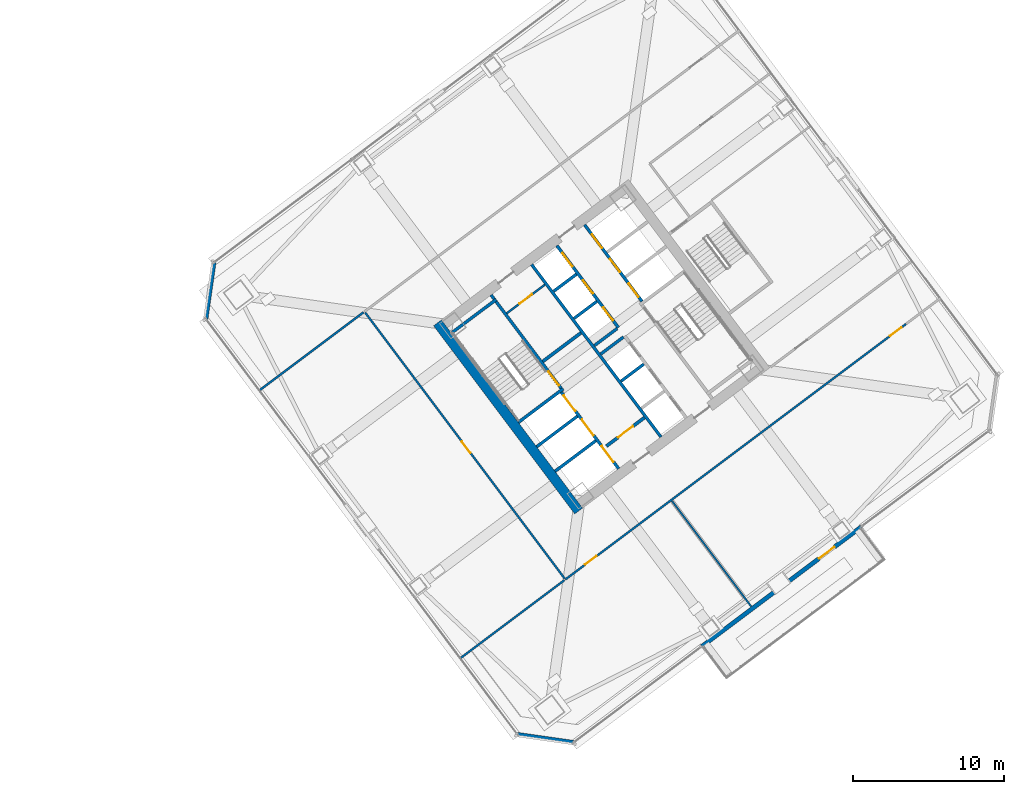
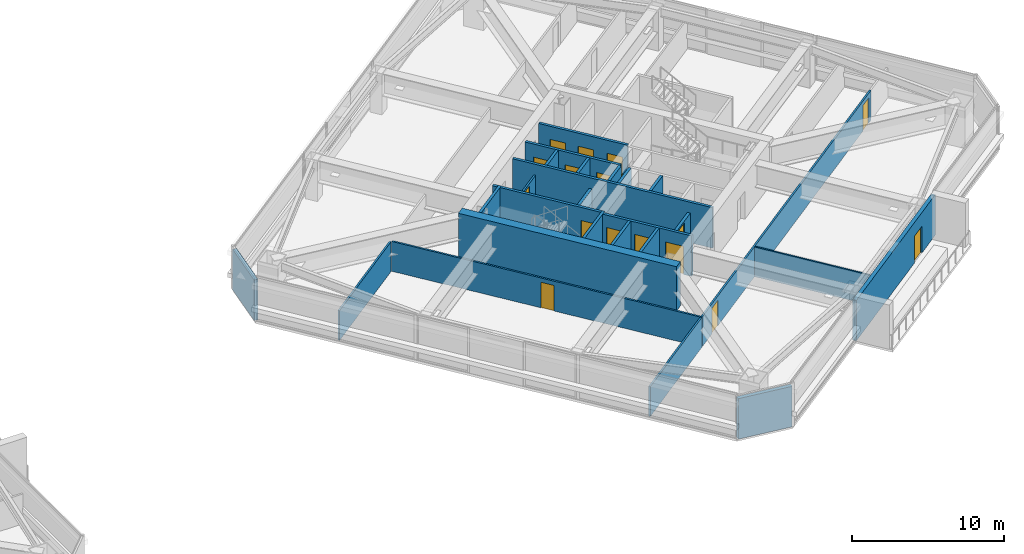
# One storey, part 40 of 49: 26 walls, 16 doors, 16 openings.
"""IFC4 building model written with IfcOpenShell, lengths in metres."""

from ifc_helpers import new_model, si_unit, direction, frame, frame_2d, origin, place, context, subcontext, project, spatial, rectangle, extrude, material, layer, layer_set, type_object, element, fill, save


model = new_model("IFC4")

# Units and contexts
model_context = context("Model", 3, precision=1e-05, world=origin(), true_north=direction((0.0, 1.0)))
body_context = subcontext(model_context, "Body", "Model", "MODEL_VIEW")
ifc_project = project(units=[si_unit("LENGTHUNIT", "METRE"), si_unit("AREAUNIT", "SQUARE_METRE"), si_unit("VOLUMEUNIT", "CUBIC_METRE"), si_unit("PLANEANGLEUNIT", "RADIAN"), si_unit("MASSUNIT", "GRAM", prefix="KILO")], contexts=[model_context])

# Site, building, storey
site_placement = place(None, origin())
site = spatial("IfcSite", under=ifc_project, at=site_placement, CompositionType="ELEMENT")
building_placement = place(site_placement, origin())
building = spatial("IfcBuilding", under=site, at=building_placement, Name="Tashvorn Skyway Center", CompositionType="ELEMENT")
storey_placement = place(building_placement, frame((0.0, 0.0, 106.25)))
storey = spatial("IfcBuildingStorey", under=building, at=storey_placement, Name="L28", CompositionType="ELEMENT", Elevation=106.25)

# Wall
ifc_material_1 = material(Name="Concrete C60/75", Category="concrete")
ifc_layer_1 = layer(ifc_material_1, 0.64990234375)
ifc_layer_set_1 = layer_set([ifc_layer_1], Name="Concrete C60/75")
wall_type_1 = type_object("IfcWallType", Name="WALL-CORE-650", PredefinedType="SHEAR", material=ifc_layer_set_1)
wall_1_placement = place(storey_placement, frame((112.47607421875, 21.10693359375, 0.0), z_axis=(0.0, 0.0, 1.0), x_axis=(-0.600005007985, 0.799996243986, 0.0)))
element("IfcWall", 1, at=wall_1_placement, inside=storey, type_object=wall_type_1, Name="Tower 2 L28 West Core Shear Wall", PredefinedType="SHEAR", context=body_context, shape_type="SweptSolid", body=[
    extrude(rectangle(XDim=15.60009765625, YDim=0.64990234375, at=frame_2d((7.800048828125, 0.0))), origin(), (0.0, 0.0, 1.0), 3.550048828125),
])

# Wall, opening, door
ifc_material_2 = material(Name="Precast concrete C40/50", Category="concrete")
ifc_layer_2 = layer(ifc_material_2, 0.280029296875)
ifc_layer_set_2 = layer_set([ifc_layer_2], Name="Precast concrete C40/50")
wall_type_2 = type_object("IfcWallType", Name="WALL-EXT-280", PredefinedType="SOLIDWALL", material=ifc_layer_set_2)
wall_2_placement = place(storey_placement, frame((131.2080078125, 20.055908203125, 0.0), z_axis=(0.0, 0.0, 1.0), x_axis=(-0.800004438899, -0.599994081423, 0.0)))
wall_2 = element("IfcWall", 2, at=wall_2_placement, inside=storey, type_object=wall_type_2, Name="Tower 2 L28 South Sky Garden Loggia Wall", PredefinedType="SOLIDWALL", context=body_context, shape_type="SweptSolid", body=[
    extrude(rectangle(XDim=13.199951171875, YDim=0.280029296875, at=frame_2d((6.60009765625, 0.0))), origin(), (0.0, 0.0, 1.0), 3.25),
])
opening_1_placement = place(wall_2_placement, frame((2.199951171875, 0.0, 0.0)))
opening_1 = element("IfcOpeningElement", 3, at=opening_1_placement, cuts=wall_2, Name="Opening D-TER-1300", PredefinedType="OPENING", context=body_context, shape_type="SweptSolid", body=[
    extrude(rectangle(XDim=1.300048828125, YDim=2.14990234375, at=frame_2d((0.64990234375, 1.074951171875))), frame((0.0, 0.14990234375, 0.0), z_axis=(0.0, -1.0, 0.0), x_axis=(1.0, 0.0, 0.0)), (0.0, 0.0, 1.0), 0.300048828125),
])
ifc_material_3 = material(Name="Thermally broken bronze-anodized aluminium 6063-T6", Category="aluminium")
door_type_1 = type_object("IfcDoorType", Name="DOOR-TERR-1300", OperationType="NOTDEFINED", PredefinedType="DOOR", material=ifc_material_3)
door_1_placement = place(opening_1_placement, origin())
door_1 = element("IfcDoor", 4, at=door_1_placement, inside=storey, type_object=door_type_1, Name="Tower 2 L28 Sky Garden Access Door", OperationType="SINGLE_SWING_LEFT", OverallHeight=2.14990234375, OverallWidth=1.300048828125, PredefinedType="DOOR", context=body_context, shape_type="SweptSolid", body=[
    extrude(rectangle(XDim=1.300048828125, YDim=2.14990234375, at=frame_2d((0.64990234375, 1.074951171875))), frame((0.0, 0.02490234375, 0.0), z_axis=(0.0, -1.0, 0.0), x_axis=(1.0, 0.0, 0.0)), (0.0, 0.0, 1.0), 0.050048828125),
])
fill(opening_1, door_1)

# Walls
for number, where, z_axis, x_axis, name in (
    (5, (112.179931640625, 5.760009765625, 0.0), (0.0, 0.0, 1.0), (-0.989948214866, 0.141430307517, 0.0), "Tower 2 L28 SW Precast Chamfer Wall"),
    (6, (87.760009765625, 33.820068359375, 0.0), (0.0, 0.0, 1.0), (0.141430307517, 0.989948214866, 0.0), "Tower 2 L28 NW Precast Chamfer Wall"),
):
    element("IfcWall", number, at=place(storey_placement, frame(where, z_axis=z_axis, x_axis=x_axis)), inside=storey, type_object=wall_type_2, Name=name, PredefinedType="SOLIDWALL", context=body_context, shape_type="SweptSolid", body=[
        extrude(rectangle(XDim=3.818359375, YDim=0.280029296875, at=frame_2d((1.9091796875, 0.0))), origin(), (0.0, 0.0, 1.0), 3.25),
    ])
ifc_material_4 = material(Name="Concrete C40/50", Category="concrete")
ifc_layer_3 = layer(ifc_material_4, 0.219970703125)
ifc_layer_set_3 = layer_set([ifc_layer_3], Name="Concrete C40/50")
wall_type_3 = type_object("IfcWallType", Name="WALL-FFL-220", PredefinedType="SOLIDWALL", material=ifc_layer_set_3)
wall_3_placement = place(storey_placement, frame((110.10400390625, 31.028076171875, 0.0), z_axis=(0.0, 0.0, 1.0), x_axis=(0.800018601094, 0.59997519774, 0.0)))
element("IfcWall", 7, at=wall_3_placement, inside=storey, type_object=wall_type_3, Name="Tower 2 L28 Firefighting Lobby North Wall", PredefinedType="SOLIDWALL", context=body_context, shape_type="SweptSolid", body=[
    extrude(rectangle(XDim=3.14990234375, YDim=0.219970703125, at=frame_2d((1.574951171875, 0.0))), origin(), (0.0, 0.0, 1.0), 2.39306640625),
])

# Wall, opening, door
wall_4_placement = place(storey_placement, frame((114.31591796875, 25.412109375, 0.0), z_axis=(0.0, 0.0, 1.0), x_axis=(0.800018601094, 0.59997519774, 0.0)))
wall_4 = element("IfcWall", 8, at=wall_4_placement, inside=storey, type_object=wall_type_3, Name="Tower 2 L28 Firefighting Lobby South Wall", PredefinedType="SOLIDWALL", context=body_context, shape_type="SweptSolid", body=[
    extrude(rectangle(XDim=3.14990234375, YDim=0.219970703125, at=frame_2d((1.574951171875, 0.0))), origin(), (0.0, 0.0, 1.0), 2.39306640625),
])
opening_2_placement = place(wall_4_placement, frame((0.949951171875, 0.0, 0.0)))
opening_2 = element("IfcOpeningElement", 9, at=opening_2_placement, cuts=wall_4, Name="Opening D-FFL-1250", PredefinedType="OPENING", context=body_context, shape_type="SweptSolid", body=[
    extrude(rectangle(XDim=1.25, YDim=2.25, at=frame_2d((0.625, 1.125))), frame((0.0, 0.119873046875, 0.0), z_axis=(0.0, -1.0, 0.0), x_axis=(1.0, 0.0, 0.0)), (0.0, 0.0, 1.0), 0.239990234375),
])
ifc_material_5 = material(Name="Hollow galvanized steel fire door assembly", Category="steel")
door_type_2 = type_object("IfcDoorType", Name="DOOR-FFL-1250", OperationType="NOTDEFINED", PredefinedType="DOOR", material=ifc_material_5)
door_2_placement = place(opening_2_placement, origin())
door_2 = element("IfcDoor", 10, at=door_2_placement, inside=storey, type_object=door_type_2, Name="Tower 2 L28 Firefighting Lobby Egress Door", OperationType="SINGLE_SWING_LEFT", OverallHeight=2.25, OverallWidth=1.25, PredefinedType="DOOR", context=body_context, shape_type="SweptSolid", body=[
    extrude(rectangle(XDim=1.25, YDim=2.25, at=frame_2d((0.625, 1.125))), frame((0.0, 0.02490234375, 0.0), z_axis=(0.0, -1.0, 0.0), x_axis=(1.0, 0.0, 0.0)), (0.0, 0.0, 1.0), 0.050048828125),
])
fill(opening_2, door_2)

# Wall
ifc_material_6 = material(Name="Gypsum board on cold-formed steel stud framing", Category="steel")
ifc_layer_4 = layer(ifc_material_6, 0.110107421875)
ifc_layer_set_4 = layer_set([ifc_layer_4], Name="Gypsum board on cold-formed steel stud framing")
wall_type_4 = type_object("IfcWallType", Name="WALL-PART-110", PredefinedType="PARTITIONING", material=ifc_layer_set_4)
wall_5_placement = place(storey_placement, frame((123.91796875, 14.77587890625, 0.0), z_axis=(0.0, 0.0, 1.0), x_axis=(-0.6, 0.8, 0.0)))
element("IfcWall", 11, at=wall_5_placement, inside=storey, type_object=wall_type_4, Name="Tower 2 L28 South Suite Partition 1", PredefinedType="PARTITIONING", context=body_context, shape_type="SweptSolid", body=[
    extrude(rectangle(XDim=8.75, YDim=0.110107421875, at=frame_2d((4.375, 0.0))), origin(), (0.0, 0.0, 1.0), 2.39306640625),
])

# Wall, openings, doors
ifc_layer_5 = layer(ifc_material_6, 0.135009765625)
ifc_layer_set_5 = layer_set([ifc_layer_5], Name="Gypsum board on cold-formed steel stud framing")
wall_type_5 = type_object("IfcWallType", Name="WALL-PART-135", PredefinedType="PARTITIONING", material=ifc_layer_set_5)
wall_6_placement = place(storey_placement, frame((134.179931640625, 33.510009765625, 0.0), z_axis=(0.0, 0.0, 1.0), x_axis=(-0.8, -0.6, 0.0)))
wall_6 = element("IfcWall", 12, at=wall_6_placement, inside=storey, type_object=wall_type_5, Name="Tower 2 L28 South Suite Wall", PredefinedType="PARTITIONING", context=body_context, shape_type="SweptSolid", body=[
    extrude(rectangle(XDim=28.22998046875, YDim=0.135009765625, at=frame_2d((14.114990234375, 0.0))), origin(), (0.0, 0.0, 1.0), 2.39306640625),
])
opening_3_placement = place(wall_6_placement, frame((25.637451171875, 0.0, 0.0)))
opening_3 = element("IfcOpeningElement", 13, at=opening_3_placement, cuts=wall_6, Name="Opening D-INT-950", PredefinedType="OPENING", context=body_context, shape_type="SweptSolid", body=[
    extrude(rectangle(XDim=0.949951171875, YDim=2.050048828125, at=frame_2d((0.47509765625, 1.02490234375))), frame((0.0, 0.077392578125, 0.0), z_axis=(0.0, -1.0, 0.0), x_axis=(1.0, 0.0, 0.0)), (0.0, 0.0, 1.0), 0.155029296875),
])
opening_4_placement = place(wall_6_placement, frame((0.3798828125, 0.0, 0.0)))
opening_4 = element("IfcOpeningElement", 14, at=opening_4_placement, cuts=wall_6, Name="Opening D-INT-950", PredefinedType="OPENING", context=body_context, shape_type="SweptSolid", body=[
    extrude(rectangle(XDim=0.949951171875, YDim=2.050048828125, at=frame_2d((0.47509765625, 1.02490234375))), frame((0.0, 0.077392578125, 0.0), z_axis=(0.0, -1.0, 0.0), x_axis=(1.0, 0.0, 0.0)), (0.0, 0.0, 1.0), 0.155029296875),
])
ifc_material_7 = material(Name="Solid-core architectural oak veneer door")
door_type_3 = type_object("IfcDoorType", Name="DOOR-INT-950", OperationType="NOTDEFINED", PredefinedType="DOOR", material=ifc_material_7)
door_3_placement = place(opening_3_placement, origin())
door_3 = element("IfcDoor", 15, at=door_3_placement, inside=storey, type_object=door_type_3, Name="Tower 2 L28 Operations Control Room Door", OperationType="SINGLE_SWING_LEFT", OverallHeight=2.050048828125, OverallWidth=0.949951171875, PredefinedType="DOOR", context=body_context, shape_type="SweptSolid", body=[
    extrude(rectangle(XDim=0.949951171875, YDim=2.050048828125, at=frame_2d((0.47509765625, 1.02490234375))), frame((0.0, 0.02490234375, 0.0), z_axis=(0.0, -1.0, 0.0), x_axis=(1.0, 0.0, 0.0)), (0.0, 0.0, 1.0), 0.050048828125),
])
fill(opening_3, door_3)
door_4_placement = place(opening_4_placement, origin())
door_4 = element("IfcDoor", 16, at=door_4_placement, inside=storey, type_object=door_type_3, Name="Tower 2 L28 Security Control Room Door", OperationType="SINGLE_SWING_RIGHT", OverallHeight=2.050048828125, OverallWidth=0.949951171875, PredefinedType="DOOR", context=body_context, shape_type="SweptSolid", body=[
    extrude(rectangle(XDim=0.949951171875, YDim=2.050048828125, at=frame_2d((0.47509765625, 1.02490234375))), frame((0.0, 0.02490234375, 0.0), z_axis=(0.0, -1.0, 0.0), x_axis=(1.0, 0.0, 0.0)), (0.0, 0.0, 1.0), 0.050048828125),
])
fill(opening_4, door_4)

# Wall, opening, door
wall_7_placement = place(storey_placement, frame((111.548095703125, 16.635986328125, 0.0), z_axis=(0.0, 0.0, 1.0), x_axis=(-0.600001772333, 0.799998670747, 0.0)))
wall_7 = element("IfcWall", 17, at=wall_7_placement, inside=storey, type_object=wall_type_5, Name="Tower 2 L28 West Inner Suite Wall", PredefinedType="PARTITIONING", context=body_context, shape_type="SweptSolid", body=[
    extrude(rectangle(XDim=22.0400390625, YDim=0.135009765625, at=frame_2d((11.02001953125, 0.0))), origin(), (0.0, 0.0, 1.0), 2.39306640625),
])
opening_5_placement = place(wall_7_placement, frame((10.41845703125, 0.0, 0.0)))
opening_5 = element("IfcOpeningElement", 18, at=opening_5_placement, cuts=wall_7, Name="Opening D-INT-950", PredefinedType="OPENING", context=body_context, shape_type="SweptSolid", body=[
    extrude(rectangle(XDim=0.949951171875, YDim=2.050048828125, at=frame_2d((0.47509765625, 1.02490234375))), frame((0.0, 0.077392578125, 0.0), z_axis=(0.0, -1.0, 0.0), x_axis=(1.0, 0.0, 0.0)), (0.0, 0.0, 1.0), 0.155029296875),
])
door_5_placement = place(opening_5_placement, origin())
door_5 = element("IfcDoor", 19, at=door_5_placement, inside=storey, type_object=door_type_3, Name="Tower 2 L28 Boardroom Door", OperationType="SINGLE_SWING_LEFT", OverallHeight=2.050048828125, OverallWidth=0.949951171875, PredefinedType="DOOR", context=body_context, shape_type="SweptSolid", body=[
    extrude(rectangle(XDim=0.949951171875, YDim=2.050048828125, at=frame_2d((0.47509765625, 1.02490234375))), frame((0.0, 0.02490234375, 0.0), z_axis=(0.0, -1.0, 0.0), x_axis=(1.0, 0.0, 0.0)), (0.0, 0.0, 1.0), 0.050048828125),
])
fill(opening_5, door_5)

# Walls
for number, where, z_axis, x_axis, name in (
    (20, (98.2119140625, 34.283935546875, 0.0), (0.0, 0.0, 1.0), (-0.800006797429, -0.599990936654, 0.0), "Tower 2 L28 West Suite North Wall"),
    (21, (104.635986328125, 11.35205078125, 0.0), (0.0, 0.0, 1.0), (0.800006797429, 0.599990936654, 0.0), "Tower 2 L28 West Suite South Wall"),
):
    element("IfcWall", number, at=place(storey_placement, frame(where, z_axis=z_axis, x_axis=x_axis)), inside=storey, type_object=wall_type_5, Name=name, PredefinedType="PARTITIONING", context=body_context, shape_type="SweptSolid", body=[
        extrude(rectangle(XDim=8.619873046875, YDim=0.135009765625, at=frame_2d((4.31005859375, 0.0))), origin(), (0.0, 0.0, 1.0), 2.39306640625),
    ])

# Wall, opening, door
ifc_layer_6 = layer(ifc_material_6, 0.135009765625)
ifc_layer_set_6 = layer_set([ifc_layer_6], Name="Gypsum board on cold-formed steel stud framing")
wall_type_6 = type_object("IfcWallType", Name="WALL-RATED-135", PredefinedType="PARTITIONING", material=ifc_layer_set_6)
wall_8_placement = place(storey_placement, frame((107.7099609375, 34.219970703125, 0.0), z_axis=(0.0, 0.0, 1.0), x_axis=(0.799981399002, 0.60002480053, 0.0)))
wall_8 = element("IfcWall", 22, at=wall_8_placement, inside=storey, type_object=wall_type_6, Name="Tower 2 L28 Core Service Lobby Wall", PredefinedType="PARTITIONING", context=body_context, shape_type="SweptSolid", body=[
    extrude(rectangle(XDim=3.150146484375, YDim=0.135009765625, at=frame_2d((1.5751953125, 0.0))), origin(), (0.0, 0.0, 1.0), 2.39306640625),
])
opening_6_placement = place(wall_8_placement, frame((1.050048828125, 0.0, 0.0)))
opening_6 = element("IfcOpeningElement", 23, at=opening_6_placement, cuts=wall_8, Name="Opening D-RT-1050", PredefinedType="OPENING", context=body_context, shape_type="SweptSolid", body=[
    extrude(rectangle(XDim=1.050048828125, YDim=2.199951171875, at=frame_2d((0.52490234375, 1.10009765625))), frame((0.0, 0.077392578125, 0.0), z_axis=(0.0, -1.0, 0.0), x_axis=(1.0, 0.0, 0.0)), (0.0, 0.0, 1.0), 0.155029296875),
])
door_type_4 = type_object("IfcDoorType", Name="DOOR-RATED-1050", OperationType="NOTDEFINED", PredefinedType="DOOR", material=ifc_material_5)
door_6_placement = place(opening_6_placement, origin())
door_6 = element("IfcDoor", 24, at=door_6_placement, inside=storey, type_object=door_type_4, Name="Tower 2 L28 Core Accessible WC Door", OperationType="SINGLE_SWING_LEFT", OverallHeight=2.199951171875, OverallWidth=1.050048828125, PredefinedType="DOOR", context=body_context, shape_type="SweptSolid", body=[
    extrude(rectangle(XDim=1.050048828125, YDim=2.199951171875, at=frame_2d((0.52490234375, 1.10009765625))), frame((0.0, 0.02490234375, 0.0), z_axis=(0.0, -1.0, 0.0), x_axis=(1.0, 0.0, 0.0)), (0.0, 0.0, 1.0), 0.050048828125),
])
fill(opening_6, door_6)

# Walls
ifc_layer_7 = layer(ifc_material_4, 0.199951171875)
ifc_layer_set_7 = layer_set([ifc_layer_7], Name="Concrete C40/50")
wall_type_7 = type_object("IfcWallType", Name="WALL-SHAFT-200", PredefinedType="SOLIDWALL", material=ifc_layer_set_7)
for number, where, z_axis, x_axis, name in (
    (25, (110.906005859375, 23.741943359375, 0.0), (0.0, 0.0, 1.0), (0.8, 0.6, 0.0), "Tower 2 L28 FSAE Shaft Divider"),
    (26, (109.68798828125, 25.365966796875, 0.0), (0.0, 0.0, 1.0), (0.8, 0.6, 0.0), "Tower 2 L28 FSAE Shaft Divider"),
):
    element("IfcWall", number, at=place(storey_placement, frame(where, z_axis=z_axis, x_axis=x_axis)), inside=storey, type_object=wall_type_7, Name=name, PredefinedType="SOLIDWALL", context=body_context, shape_type="SweptSolid", body=[
        extrude(rectangle(XDim=3.380126953125, YDim=0.199951171875, at=frame_2d((1.68994140625, 0.0))), origin(), (0.0, 0.0, 1.0), 3.25),
    ])
wall_9_placement = place(storey_placement, frame((115.2958984375, 29.721923828125, 0.0), z_axis=(0.0, 0.0, 1.0), x_axis=(0.799984418148, 0.600020775241, 0.0)))
element("IfcWall", 27, at=wall_9_placement, inside=storey, type_object=wall_type_7, Name="Tower 2 L28 Low-Rise Shaft Divider", PredefinedType="SOLIDWALL", context=body_context, shape_type="SweptSolid", body=[
    extrude(rectangle(XDim=1.880126953125, YDim=0.199951171875, at=frame_2d((0.93994140625, 0.0))), origin(), (0.0, 0.0, 1.0), 3.25),
])
wall_10_placement = place(storey_placement, frame((113.946044921875, 31.52197265625, 0.0), z_axis=(0.0, 0.0, 1.0), x_axis=(0.8, 0.6, 0.0)))
element("IfcWall", 28, at=wall_10_placement, inside=storey, type_object=wall_type_7, Name="Tower 2 L28 Low-Rise Shaft Divider", PredefinedType="SOLIDWALL", context=body_context, shape_type="SweptSolid", body=[
    extrude(rectangle(XDim=1.8798828125, YDim=0.199951171875, at=frame_2d((0.93994140625, 0.0))), origin(), (0.0, 0.0, 1.0), 3.25),
])

# Wall, openings, doors
wall_11_placement = place(storey_placement, frame((115.110107421875, 33.27001953125, 0.0), z_axis=(0.0, 0.0, 1.0), x_axis=(-0.600011488909, 0.79999138319, 0.0)))
wall_11 = element("IfcWall", 29, at=wall_11_placement, inside=storey, type_object=wall_type_7, Name="Tower 2 L28 Mid-Rise Core Wall", PredefinedType="SOLIDWALL", context=body_context, shape_type="SweptSolid", body=[
    extrude(rectangle(XDim=6.800048828125, YDim=0.199951171875, at=frame_2d((3.39990234375, 0.0))), origin(), (0.0, 0.0, 1.0), 3.25),
])
opening_7_placement = place(wall_11_placement, frame((0.574951171875, 0.0, 0.0)))
opening_7 = element("IfcOpeningElement", 30, at=opening_7_placement, cuts=wall_11, Name="Opening LD-MR-T2-1-L28", PredefinedType="OPENING", context=body_context, shape_type="SweptSolid", body=[
    extrude(rectangle(XDim=1.10009765625, YDim=2.199951171875, at=frame_2d((0.550048828125, 1.10009765625))), frame((0.0, 0.10986328125, 0.0), z_axis=(0.0, -1.0, 0.0), x_axis=(1.0, 0.0, 0.0)), (0.0, 0.0, 1.0), 0.219970703125),
])
opening_8_placement = place(wall_11_placement, frame((2.824951171875, 0.0, 0.0)))
opening_8 = element("IfcOpeningElement", 31, at=opening_8_placement, cuts=wall_11, Name="Opening LD-MR-T2-2-L28", PredefinedType="OPENING", context=body_context, shape_type="SweptSolid", body=[
    extrude(rectangle(XDim=1.10009765625, YDim=2.199951171875, at=frame_2d((0.550048828125, 1.10009765625))), frame((0.0, 0.10986328125, 0.0), z_axis=(0.0, -1.0, 0.0), x_axis=(1.0, 0.0, 0.0)), (0.0, 0.0, 1.0), 0.219970703125),
])
opening_9_placement = place(wall_11_placement, frame((5.074951171875, 0.0, 0.0)))
opening_9 = element("IfcOpeningElement", 32, at=opening_9_placement, cuts=wall_11, Name="Opening LD-MR-T2-3-L28", PredefinedType="OPENING", context=body_context, shape_type="SweptSolid", body=[
    extrude(rectangle(XDim=1.10009765625, YDim=2.199951171875, at=frame_2d((0.550048828125, 1.10009765625))), frame((0.0, 0.10986328125, 0.0), z_axis=(0.0, -1.0, 0.0), x_axis=(1.0, 0.0, 0.0)), (0.0, 0.0, 1.0), 0.219970703125),
])
ifc_material_8 = material(Name="Stainless steel landing door", Category="steel")
door_type_5 = type_object("IfcDoorType", Name="DOOR-LIFT-1100", OperationType="SLIDING_TO_LEFT", PredefinedType="DOOR", material=ifc_material_8)
door_7_placement = place(opening_7_placement, origin())
door_7 = element("IfcDoor", 33, at=door_7_placement, inside=storey, type_object=door_type_5, Name="Lift MR-T2-1 L28 Landing Door", OperationType="SLIDING_TO_LEFT", OverallHeight=2.199951171875, OverallWidth=1.10009765625, PredefinedType="DOOR", context=body_context, shape_type="SweptSolid", body=[
    extrude(rectangle(XDim=1.10009765625, YDim=2.199951171875, at=frame_2d((0.550048828125, 1.10009765625))), frame((0.0, 0.02490234375, 0.0), z_axis=(0.0, -1.0, 0.0), x_axis=(1.0, 0.0, 0.0)), (0.0, 0.0, 1.0), 0.050048828125),
])
fill(opening_7, door_7)
door_8_placement = place(opening_8_placement, origin())
door_8 = element("IfcDoor", 34, at=door_8_placement, inside=storey, type_object=door_type_5, Name="Lift MR-T2-2 L28 Landing Door", OperationType="SLIDING_TO_LEFT", OverallHeight=2.199951171875, OverallWidth=1.10009765625, PredefinedType="DOOR", context=body_context, shape_type="SweptSolid", body=[
    extrude(rectangle(XDim=1.10009765625, YDim=2.199951171875, at=frame_2d((0.550048828125, 1.10009765625))), frame((0.0, 0.02490234375, 0.0), z_axis=(0.0, -1.0, 0.0), x_axis=(1.0, 0.0, 0.0)), (0.0, 0.0, 1.0), 0.050048828125),
])
fill(opening_8, door_8)
door_9_placement = place(opening_9_placement, origin())
door_9 = element("IfcDoor", 35, at=door_9_placement, inside=storey, type_object=door_type_5, Name="Lift MR-T2-3 L28 Landing Door", OperationType="SLIDING_TO_LEFT", OverallHeight=2.199951171875, OverallWidth=1.10009765625, PredefinedType="DOOR", context=body_context, shape_type="SweptSolid", body=[
    extrude(rectangle(XDim=1.10009765625, YDim=2.199951171875, at=frame_2d((0.550048828125, 1.10009765625))), frame((0.0, 0.02490234375, 0.0), z_axis=(0.0, -1.0, 0.0), x_axis=(1.0, 0.0, 0.0)), (0.0, 0.0, 1.0), 0.050048828125),
])
fill(opening_9, door_9)

# Walls
wall_12_placement = place(storey_placement, frame((113.52587890625, 32.08203125, 0.0), z_axis=(0.0, 0.0, 1.0), x_axis=(0.800046745961, 0.599937666993, 0.0)))
element("IfcWall", 36, at=wall_12_placement, inside=storey, type_object=wall_type_7, Name="Tower 2 L28 Mid-Rise Shaft Divider", PredefinedType="SOLIDWALL", context=body_context, shape_type="SweptSolid", body=[
    extrude(rectangle(XDim=1.880126953125, YDim=0.199951171875, at=frame_2d((0.93994140625, 0.0))), origin(), (0.0, 0.0, 1.0), 3.25),
])
wall_13_placement = place(storey_placement, frame((112.176025390625, 33.882080078125, 0.0), z_axis=(0.0, 0.0, 1.0), x_axis=(0.8, 0.6, 0.0)))
element("IfcWall", 37, at=wall_13_placement, inside=storey, type_object=wall_type_7, Name="Tower 2 L28 Mid-Rise Shaft Divider", PredefinedType="SOLIDWALL", context=body_context, shape_type="SweptSolid", body=[
    extrude(rectangle(XDim=1.8798828125, YDim=0.199951171875, at=frame_2d((0.93994140625, 0.0))), origin(), (0.0, 0.0, 1.0), 3.25),
])
wall_14_placement = place(storey_placement, frame((110.825927734375, 35.681884765625, 0.0), z_axis=(0.0, 0.0, 1.0), x_axis=(0.799984418148, 0.600020775241, 0.0)))
element("IfcWall", 38, at=wall_14_placement, inside=storey, type_object=wall_type_7, Name="Tower 2 L28 Mid-Rise Shaft Divider", PredefinedType="SOLIDWALL", context=body_context, shape_type="SweptSolid", body=[
    extrude(rectangle(XDim=1.880126953125, YDim=0.199951171875, at=frame_2d((0.93994140625, 0.0))), origin(), (0.0, 0.0, 1.0), 3.25),
])

# Wall, opening, door
ifc_layer_8 = layer(ifc_material_4, 0.199951171875)
ifc_layer_set_8 = layer_set([ifc_layer_8], Name="Concrete C40/50")
wall_type_8 = type_object("IfcWallType", Name="WALL-STSHF-200", PredefinedType="SHEAR", material=ifc_layer_set_8)
wall_15_placement = place(storey_placement, frame((111.43994140625, 29.080078125, 0.0), z_axis=(0.0, 0.0, 1.0), x_axis=(-0.600009827119, 0.799992629566, 0.0)))
wall_15 = element("IfcWall", 39, at=wall_15_placement, inside=storey, type_object=wall_type_8, Name="Tower 2 L28 Stair 1 Enclosure Wall", PredefinedType="SHEAR", context=body_context, shape_type="SweptSolid", body=[
    extrude(rectangle(XDim=7.949951171875, YDim=0.199951171875, at=frame_2d((3.97509765625, 0.0))), origin(), (0.0, 0.0, 1.0), 3.25),
])
opening_10_placement = place(wall_15_placement, frame((0.449951171875, 0.0, 0.0)))
opening_10 = element("IfcOpeningElement", 40, at=opening_10_placement, cuts=wall_15, Name="Opening D-ST-1150", PredefinedType="OPENING", context=body_context, shape_type="SweptSolid", body=[
    extrude(rectangle(XDim=1.14990234375, YDim=2.199951171875, at=frame_2d((0.574951171875, 1.10009765625))), frame((0.0, 0.10986328125, 0.0), z_axis=(0.0, -1.0, 0.0), x_axis=(1.0, 0.0, 0.0)), (0.0, 0.0, 1.0), 0.219970703125),
])
door_type_6 = type_object("IfcDoorType", Name="DOOR-STAIR-1150", OperationType="NOTDEFINED", PredefinedType="DOOR", material=ifc_material_5)
door_10_placement = place(opening_10_placement, origin())
door_10 = element("IfcDoor", 41, at=door_10_placement, inside=storey, type_object=door_type_6, Name="Tower 2 L28 Exit Stair 1 Door", OperationType="SINGLE_SWING_RIGHT", OverallHeight=2.199951171875, OverallWidth=1.14990234375, PredefinedType="DOOR", context=body_context, shape_type="SweptSolid", body=[
    extrude(rectangle(XDim=1.14990234375, YDim=2.199951171875, at=frame_2d((0.574951171875, 1.10009765625))), frame((0.0, 0.02490234375, 0.0), z_axis=(0.0, -1.0, 0.0), x_axis=(1.0, 0.0, 0.0)), (0.0, 0.0, 1.0), 0.050048828125),
])
fill(opening_10, door_10)

# Walls
for number, where, z_axis, x_axis, name in (
    (42, (108.47607421875, 26.98193359375, 0.0), (0.0, 0.0, 1.0), (0.799984290658, 0.600020945218, 0.0), "Tower 2 L28 Stair 1 South Wall"),
    (43, (104.035888671875, 32.902099609375, 0.0), (0.0, 0.0, 1.0), (0.800039270442, 0.59994763584, 0.0), "Tower 2 L28 Stair 1 North Wall"),
):
    element("IfcWall", number, at=place(storey_placement, frame(where, z_axis=z_axis, x_axis=x_axis)), inside=storey, type_object=wall_type_8, Name=name, PredefinedType="SHEAR", context=body_context, shape_type="SweptSolid", body=[
        extrude(rectangle(XDim=3.72998046875, YDim=0.199951171875, at=frame_2d((1.864990234375, 0.0))), origin(), (0.0, 0.0, 1.0), 3.25),
    ])
wall_16_placement = place(storey_placement, frame((117.93798828125, 26.01611328125, 0.0), z_axis=(0.0, 0.0, 1.0), x_axis=(-0.600005463273, 0.799995902516, 0.0)))
element("IfcWall", 44, at=wall_16_placement, inside=storey, type_object=wall_type_8, Name="Tower 2 L28 Firefighting Lobby East Smoke Barrier", PredefinedType="SHEAR", context=body_context, shape_type="SweptSolid", body=[
    extrude(rectangle(XDim=14.300048828125, YDim=0.199951171875, at=frame_2d((7.14990234375, 0.0))), origin(), (0.0, 0.0, 1.0), 3.25),
])

# Wall, openings, doors
wall_17_placement = place(storey_placement, frame((115.1298828125, 23.909912109375, 0.0), z_axis=(0.0, 0.0, 1.0), x_axis=(-0.599975393228, 0.800018454488, 0.0)))
wall_17 = element("IfcWall", 45, at=wall_17_placement, inside=storey, type_object=wall_type_8, Name="Tower 2 L28 FSAE and Goods Shaft Front Wall", PredefinedType="SHEAR", context=body_context, shape_type="SweptSolid", body=[
    extrude(rectangle(XDim=6.349853515625, YDim=0.199951171875, at=frame_2d((3.1748046875, 0.0))), origin(), (0.0, 0.0, 1.0), 3.25),
])
opening_11_placement = place(wall_17_placement, frame((4.77490234375, 0.0, 0.0)))
opening_11 = element("IfcOpeningElement", 46, at=opening_11_placement, cuts=wall_17, Name="Opening LD-FF-T2-1-L28", PredefinedType="OPENING", context=body_context, shape_type="SweptSolid", body=[
    extrude(rectangle(XDim=1.300048828125, YDim=2.25, at=frame_2d((0.64990234375, 1.125))), frame((0.0, 0.10986328125, 0.0), z_axis=(0.0, -1.0, 0.0), x_axis=(1.0, 0.0, 0.0)), (0.0, 0.0, 1.0), 0.219970703125),
])
opening_12_placement = place(wall_17_placement, frame((2.77490234375, 0.0, 0.0)))
opening_12 = element("IfcOpeningElement", 47, at=opening_12_placement, cuts=wall_17, Name="Opening LD-FF-T2-2-L28", PredefinedType="OPENING", context=body_context, shape_type="SweptSolid", body=[
    extrude(rectangle(XDim=1.300048828125, YDim=2.25, at=frame_2d((0.64990234375, 1.125))), frame((0.0, 0.10986328125, 0.0), z_axis=(0.0, -1.0, 0.0), x_axis=(1.0, 0.0, 0.0)), (0.0, 0.0, 1.0), 0.219970703125),
])
opening_13_placement = place(wall_17_placement, frame((0.574951171875, 0.0, 0.0)))
opening_13 = element("IfcOpeningElement", 48, at=opening_13_placement, cuts=wall_17, Name="Opening LD-GD-T2-1-L28", PredefinedType="OPENING", context=body_context, shape_type="SweptSolid", body=[
    extrude(rectangle(XDim=1.300048828125, YDim=2.25, at=frame_2d((0.64990234375, 1.125))), frame((0.0, 0.10986328125, 0.0), z_axis=(0.0, -1.0, 0.0), x_axis=(1.0, 0.0, 0.0)), (0.0, 0.0, 1.0), 0.219970703125),
])
ifc_material_9 = material(Name="Stainless steel heavy-duty landing door", Category="steel")
door_type_7 = type_object("IfcDoorType", Name="DOOR-LIFT-1300", OperationType="SLIDING_TO_LEFT", PredefinedType="DOOR", material=ifc_material_9)
door_11_placement = place(opening_11_placement, origin())
door_11 = element("IfcDoor", 49, at=door_11_placement, inside=storey, type_object=door_type_7, Name="Lift FF-T2-1 L28 Landing Door", OperationType="SLIDING_TO_LEFT", OverallHeight=2.25, OverallWidth=1.300048828125, PredefinedType="DOOR", context=body_context, shape_type="SweptSolid", body=[
    extrude(rectangle(XDim=1.300048828125, YDim=2.25, at=frame_2d((0.64990234375, 1.125))), frame((0.0, 0.02490234375, 0.0), z_axis=(0.0, -1.0, 0.0), x_axis=(1.0, 0.0, 0.0)), (0.0, 0.0, 1.0), 0.050048828125),
])
fill(opening_11, door_11)
door_12_placement = place(opening_12_placement, origin())
door_12 = element("IfcDoor", 50, at=door_12_placement, inside=storey, type_object=door_type_7, Name="Lift FF-T2-2 L28 Landing Door", OperationType="SLIDING_TO_LEFT", OverallHeight=2.25, OverallWidth=1.300048828125, PredefinedType="DOOR", context=body_context, shape_type="SweptSolid", body=[
    extrude(rectangle(XDim=1.300048828125, YDim=2.25, at=frame_2d((0.64990234375, 1.125))), frame((0.0, 0.02490234375, 0.0), z_axis=(0.0, -1.0, 0.0), x_axis=(1.0, 0.0, 0.0)), (0.0, 0.0, 1.0), 0.050048828125),
])
fill(opening_12, door_12)
door_13_placement = place(opening_13_placement, origin())
door_13 = element("IfcDoor", 51, at=door_13_placement, inside=storey, type_object=door_type_7, Name="Lift GD-T2-1 L28 Landing Door", OperationType="SLIDING_TO_LEFT", OverallHeight=2.25, OverallWidth=1.300048828125, PredefinedType="DOOR", context=body_context, shape_type="SweptSolid", body=[
    extrude(rectangle(XDim=1.300048828125, YDim=2.25, at=frame_2d((0.64990234375, 1.125))), frame((0.0, 0.02490234375, 0.0), z_axis=(0.0, -1.0, 0.0), x_axis=(1.0, 0.0, 0.0)), (0.0, 0.0, 1.0), 0.050048828125),
])
fill(opening_13, door_13)

wall_18_placement = place(storey_placement, frame((112.8701171875, 40.090087890625, 0.0), z_axis=(0.0, 0.0, 1.0), x_axis=(0.599975393228, -0.800018454488, 0.0)))
wall_18 = element("IfcWall", 52, at=wall_18_placement, inside=storey, type_object=wall_type_8, Name="Tower 2 L28 High-Rise Lift Shaft Front Wall", PredefinedType="SHEAR", context=body_context, shape_type="SweptSolid", body=[
    extrude(rectangle(XDim=6.349853515625, YDim=0.199951171875, at=frame_2d((3.1748046875, 0.0))), origin(), (0.0, 0.0, 1.0), 3.25),
])
opening_14_placement = place(wall_18_placement, frame((4.875, 0.0, 0.0)))
opening_14 = element("IfcOpeningElement", 53, at=opening_14_placement, cuts=wall_18, Name="Opening LD-HR-T2-1-L28", PredefinedType="OPENING", context=body_context, shape_type="SweptSolid", body=[
    extrude(rectangle(XDim=1.10009765625, YDim=2.199951171875, at=frame_2d((0.550048828125, 1.10009765625))), frame((0.0, 0.10986328125, 0.0), z_axis=(0.0, -1.0, 0.0), x_axis=(1.0, 0.0, 0.0)), (0.0, 0.0, 1.0), 0.219970703125),
])
opening_15_placement = place(wall_18_placement, frame((2.824951171875, 0.0, 0.0)))
opening_15 = element("IfcOpeningElement", 54, at=opening_15_placement, cuts=wall_18, Name="Opening LD-HR-T2-2-L28", PredefinedType="OPENING", context=body_context, shape_type="SweptSolid", body=[
    extrude(rectangle(XDim=1.10009765625, YDim=2.199951171875, at=frame_2d((0.550048828125, 1.10009765625))), frame((0.0, 0.10986328125, 0.0), z_axis=(0.0, -1.0, 0.0), x_axis=(1.0, 0.0, 0.0)), (0.0, 0.0, 1.0), 0.219970703125),
])
opening_16_placement = place(wall_18_placement, frame((0.824951171875, 0.0, 0.0)))
opening_16 = element("IfcOpeningElement", 55, at=opening_16_placement, cuts=wall_18, Name="Opening LD-HR-T2-3-L28", PredefinedType="OPENING", context=body_context, shape_type="SweptSolid", body=[
    extrude(rectangle(XDim=1.10009765625, YDim=2.199951171875, at=frame_2d((0.550048828125, 1.10009765625))), frame((0.0, 0.10986328125, 0.0), z_axis=(0.0, -1.0, 0.0), x_axis=(1.0, 0.0, 0.0)), (0.0, 0.0, 1.0), 0.219970703125),
])
door_14_placement = place(opening_14_placement, origin())
door_14 = element("IfcDoor", 56, at=door_14_placement, inside=storey, type_object=door_type_5, Name="Lift HR-T2-1 L28 Landing Door", OperationType="SLIDING_TO_LEFT", OverallHeight=2.199951171875, OverallWidth=1.10009765625, PredefinedType="DOOR", context=body_context, shape_type="SweptSolid", body=[
    extrude(rectangle(XDim=1.10009765625, YDim=2.199951171875, at=frame_2d((0.550048828125, 1.10009765625))), frame((0.0, 0.02490234375, 0.0), z_axis=(0.0, -1.0, 0.0), x_axis=(1.0, 0.0, 0.0)), (0.0, 0.0, 1.0), 0.050048828125),
])
fill(opening_14, door_14)
door_15_placement = place(opening_15_placement, origin())
door_15 = element("IfcDoor", 57, at=door_15_placement, inside=storey, type_object=door_type_5, Name="Lift HR-T2-2 L28 Landing Door", OperationType="SLIDING_TO_LEFT", OverallHeight=2.199951171875, OverallWidth=1.10009765625, PredefinedType="DOOR", context=body_context, shape_type="SweptSolid", body=[
    extrude(rectangle(XDim=1.10009765625, YDim=2.199951171875, at=frame_2d((0.550048828125, 1.10009765625))), frame((0.0, 0.02490234375, 0.0), z_axis=(0.0, -1.0, 0.0), x_axis=(1.0, 0.0, 0.0)), (0.0, 0.0, 1.0), 0.050048828125),
])
fill(opening_15, door_15)
door_16_placement = place(opening_16_placement, origin())
door_16 = element("IfcDoor", 58, at=door_16_placement, inside=storey, type_object=door_type_5, Name="Lift HR-T2-3 L28 Landing Door", OperationType="SLIDING_TO_LEFT", OverallHeight=2.199951171875, OverallWidth=1.10009765625, PredefinedType="DOOR", context=body_context, shape_type="SweptSolid", body=[
    extrude(rectangle(XDim=1.10009765625, YDim=2.199951171875, at=frame_2d((0.550048828125, 1.10009765625))), frame((0.0, 0.02490234375, 0.0), z_axis=(0.0, -1.0, 0.0), x_axis=(1.0, 0.0, 0.0)), (0.0, 0.0, 1.0), 0.050048828125),
])
fill(opening_16, door_16)

save(model, "model.ifc")
